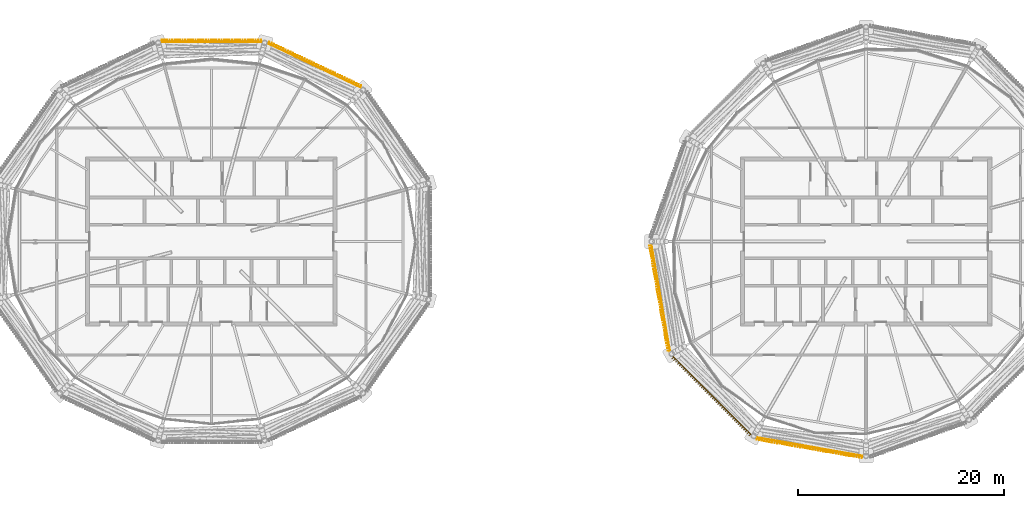
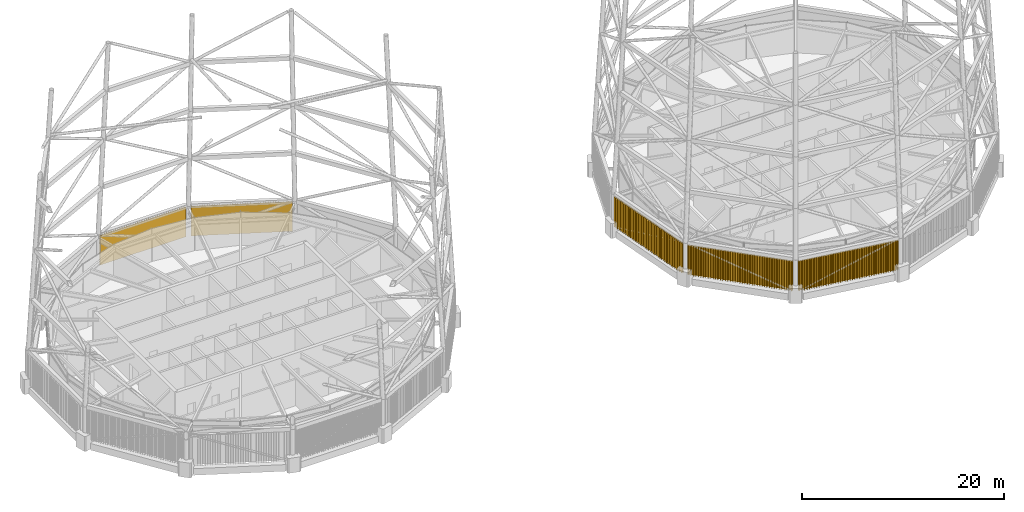
# One storey, part 69 of 71: 5 coverings.
"""IFC4 building model written with IfcOpenShell, lengths in metres."""

import ifcopenshell
import ifcopenshell.guid

model = None  # the IFC model being written
_history = None  # IfcOwnerHistory: only IFC2X3 demands one
_inside = {}  # id of a spatial element -> (the spatial element, [elements in it])
_under = {}  # id of a project, library or spatial element -> (it, [spatial elements below it])
_declared = {}  # id of a project -> (the project, [libraries it declares])
_typed = {}  # id of a type object -> (the type object, [elements of that type])
_made_of = {}  # id of a material, layer set ... -> (it, [elements and type objects made of it])


def new_model(schema):
    """Start an empty IFC model of exactly this schema.

    Asked for "IFC4X3", IfcOpenShell would pick the latest addendum, in which some entities
    have other attributes; the version numbers below select the first issue.
    IFC2X3 requires an IfcOwnerHistory on every rooted entity: one is made here for all.
    """
    global model, _history
    if schema == "IFC4X3":
        model = ifcopenshell.file(schema_version=(4, 3, 0, 0))
    else:
        model = ifcopenshell.file(schema=schema)
    _inside.clear()
    _under.clear()
    _declared.clear()
    _typed.clear()
    _made_of.clear()
    _history = None
    if model.schema == "IFC2X3":
        org = make("IfcOrganization", Name="unknown")
        user = make(
            "IfcPersonAndOrganization",
            ThePerson=make("IfcPerson", FamilyName="unknown"),
            TheOrganization=org,
        )
        app = make(
            "IfcApplication",
            ApplicationDeveloper=org,
            Version="unknown",
            ApplicationFullName="unknown",
            ApplicationIdentifier="unknown",
        )
        _history = make(
            "IfcOwnerHistory",
            OwningUser=user,
            OwningApplication=app,
            ChangeAction="ADDED",
            CreationDate=0,
        )
    return model


def make(cls, **values):
    """One entity of the class cls with the attributes given. An attribute that is None is left unset."""
    return model.create_entity(
        cls, **{name: value for name, value in values.items() if value is not None}
    )


def rooted(cls, **values):
    """An entity with a GlobalId (a new one), such as an element, a storey or a relation."""
    return make(cls, GlobalId=ifcopenshell.guid.new(), OwnerHistory=_history, **values)


def si_unit(unit_type, name, prefix=None):
    """IfcSIUnit, for example si_unit("LENGTHUNIT", "METRE", prefix="MILLI")."""
    return make("IfcSIUnit", UnitType=unit_type, Prefix=prefix, Name=name)


def assignment(units):
    """IfcUnitAssignment: the units of a project."""
    return None if units is None else make("IfcUnitAssignment", Units=units)


def point(xyz):
    """IfcCartesianPoint."""
    return None if xyz is None else make("IfcCartesianPoint", Coordinates=xyz)


def direction(xyz):
    """IfcDirection."""
    return None if xyz is None else make("IfcDirection", DirectionRatios=xyz)


def frame(location, z_axis=None, x_axis=None):
    """IfcAxis2Placement3D, a coordinate frame: its origin and axes. An axis left out is left unset."""
    return make(
        "IfcAxis2Placement3D",
        Location=point(location),
        Axis=direction(z_axis),
        RefDirection=direction(x_axis),
    )


def origin():
    """The frame at (0, 0, 0) with its axes left unset."""
    return frame((0.0, 0.0, 0.0))


def place(relative_to, where):
    """IfcLocalPlacement: puts the frame where relative to a parent placement (None: the world)."""
    return make(
        "IfcLocalPlacement", PlacementRelTo=relative_to, RelativePlacement=where
    )


def context(
    kind, dimensions, precision=None, world=None, true_north=None, identifier=None
):
    """IfcGeometricRepresentationContext, for example the 3D "Model" context."""
    return make(
        "IfcGeometricRepresentationContext",
        ContextIdentifier=identifier,
        ContextType=kind,
        CoordinateSpaceDimension=dimensions,
        Precision=precision,
        WorldCoordinateSystem=world,
        TrueNorth=true_north,
    )


def subcontext(parent, identifier, kind, view, scale=None):
    """IfcGeometricRepresentationSubContext, for example "Body" below "Model"."""
    return make(
        "IfcGeometricRepresentationSubContext",
        ContextIdentifier=identifier,
        ContextType=kind,
        ParentContext=parent,
        TargetScale=scale,
        TargetView=view,
    )


def project(units=None, contexts=None):
    """IfcProject with its units and contexts."""
    return rooted(
        "IfcProject",
        Name="project",
        RepresentationContexts=contexts,
        UnitsInContext=assignment(units),
    )


def spatial(cls, under=None, at=None, **own):
    """A site, building, storey or space (cls), placed at a placement, below another one or the project."""
    s = rooted(cls, ObjectPlacement=at, **own)
    if under is not None:
        _under.setdefault(under.id(), (under, []))[1].append(s)
    return s


def polyline(points):
    """IfcPolyline through the points."""
    return make("IfcPolyline", Points=[point(p) for p in points])


def outline(outer, holes=None, kind="AREA"):
    """IfcArbitraryClosedProfileDef: a profile drawn as a closed curve; with holes, ...WithVoids."""
    if holes is None:
        return make("IfcArbitraryClosedProfileDef", ProfileType=kind, OuterCurve=outer)
    return make(
        "IfcArbitraryProfileDefWithVoids",
        ProfileType=kind,
        OuterCurve=outer,
        InnerCurves=holes,
    )


def extrude(swept, where, along, depth):
    """IfcExtrudedAreaSolid: the profile swept, set in the frame where, extruded along a direction by depth."""
    return make(
        "IfcExtrudedAreaSolid",
        SweptArea=swept,
        Position=where,
        ExtrudedDirection=direction(along),
        Depth=depth,
    )


def shape(context_of_items, identifier, shape_type, items):
    """IfcShapeRepresentation: the items that make up one representation, for example the "Body"."""
    return make(
        "IfcShapeRepresentation",
        ContextOfItems=context_of_items,
        RepresentationIdentifier=identifier,
        RepresentationType=shape_type,
        Items=items,
    )


def material(Name=None, Category=None):
    """IfcMaterial."""
    return make("IfcMaterial", Name=Name, Category=Category)


def made_of(thing, what):
    """Note that an element or type object is made of a material, layer set ...; save() writes the relation."""
    if what is not None:
        _made_of.setdefault(what.id(), (what, []))[1].append(thing)
    return thing


def type_object(cls, material=None, **own):
    """A type object (cls), such as IfcWallType, which elements share."""
    return made_of(rooted(cls, **own), material)


def element(
    cls,
    number,
    at=None,
    inside=None,
    cuts=None,
    type_object=None,
    material=None,
    context=None,
    identifier="Body",
    shape_type=None,
    held_by="IfcProductDefinitionShape",
    body=None,
    shapes=None,
    **own,
):
    """One element of the class cls, such as IfcWall. Its Tag is "e" and its number.

    at: its placement. inside: the storey or other place that contains it. cuts: it is an
    opening in that element (IfcRelVoidsElement). A single representation is given by context,
    identifier, shape_type and body (its items); several are given by shapes. held_by: the class
    of the entity that holds the representations. save() writes the other relations.
    """
    e = rooted(cls, Tag="e%d" % number, ObjectPlacement=at, **own)
    if body is not None:
        shapes = [shape(context, identifier, shape_type, body)]
    if shapes is not None:
        e.Representation = make(held_by, Representations=shapes)
    if inside is not None:
        _inside.setdefault(inside.id(), (inside, []))[1].append(e)
    if cuts is not None:
        rooted(
            "IfcRelVoidsElement", RelatingBuildingElement=cuts, RelatedOpeningElement=e
        )
    if type_object is not None:
        _typed.setdefault(type_object.id(), (type_object, []))[1].append(e)
    return made_of(e, material)


def aggregate(whole, parts):
    """IfcRelAggregates: a whole, such as a stair, and the parts it consists of."""
    return rooted("IfcRelAggregates", RelatingObject=whole, RelatedObjects=parts)


def save(model, path):
    """Write the relations noted so far, then the file.

    IfcRelAggregates (storeys below a building ...), IfcRelContainedInSpatialStructure (elements
    in a storey), IfcRelDefinesByType, IfcRelAssociatesMaterial and IfcRelDeclares: one each for
    every whole, place, type object, material and project.
    """
    for whole, parts in _under.values():
        aggregate(whole, parts)
    for where, things in _inside.values():
        rooted(
            "IfcRelContainedInSpatialStructure",
            RelatedElements=things,
            RelatingStructure=where,
        )
    for kind, things in _typed.values():
        rooted("IfcRelDefinesByType", RelatedObjects=things, RelatingType=kind)
    for what, things in _made_of.values():
        rooted("IfcRelAssociatesMaterial", RelatedObjects=things, RelatingMaterial=what)
    for by, libraries in _declared.values():
        rooted("IfcRelDeclares", RelatingContext=by, RelatedDefinitions=libraries)
    model.write(path)


model = new_model("IFC4")

# Units and contexts
model_context = context("Model", 3, precision=1e-05, world=origin(), true_north=direction((0.0, 1.0)))
body_context = subcontext(model_context, "Body", "Model", "MODEL_VIEW")
ifc_project = project(units=[si_unit("LENGTHUNIT", "METRE"), si_unit("AREAUNIT", "SQUARE_METRE"), si_unit("VOLUMEUNIT", "CUBIC_METRE"), si_unit("PLANEANGLEUNIT", "RADIAN"), si_unit("MASSUNIT", "GRAM", prefix="KILO")], contexts=[model_context])

# Site, building, storey
site_placement = place(None, origin())
site = spatial("IfcSite", under=ifc_project, at=site_placement, CompositionType="ELEMENT")
building_placement = place(site_placement, origin())
building = spatial("IfcBuilding", under=site, at=building_placement, Name="Rimbun Link Towers", CompositionType="ELEMENT")
storey_placement = place(building_placement, frame((0.0, 0.0, 267.60009765625)))
storey = spatial("IfcBuildingStorey", under=building, at=storey_placement, Name="L65", CompositionType="ELEMENT", Elevation=267.60009765625)

# Coverings
ifc_material = material(Name="Terracotta", Category="masonry")
covering_type = type_object("IfcCoveringType", Name="TERRACOTTA CLADDING screen fins", PredefinedType="CLADDING", material=ifc_material)
covering_1_placement = place(storey_placement, frame((0.0, 0.0, 0.2119140625)))
element("IfcCovering", 1, at=covering_1_placement, inside=storey, type_object=covering_type, Name="TERRACOTTA CLADDING screen", PredefinedType="CLADDING", context=body_context, shape_type="SweptSolid", body=[
    extrude(outline(polyline([(-17.19091796875, 14.918212890625), (-17.29150390625, 14.966064453125), (-17.2060546875, 15.146728515625), (-17.233154296875, 15.159423828125), (-17.318603515625, 14.978759765625), (-17.52001953125, 15.07421875), (-17.434326171875, 15.2548828125), (-17.46142578125, 15.267822265625), (-17.547119140625, 15.087158203125), (-17.74853515625, 15.1826171875), (-17.662841796875, 15.36328125), (-17.68994140625, 15.376220703125), (-17.775634765625, 15.1953125), (-17.97705078125, 15.290771484375), (-17.891357421875, 15.471435546875), (-17.91845703125, 15.484375), (-18.004150390625, 15.3037109375), (-18.20556640625, 15.399169921875), (-18.119873046875, 15.579833984375), (-18.14697265625, 15.5927734375), (-18.232666015625, 15.412109375), (-18.433837890625, 15.50732421875), (-18.34814453125, 15.68798828125), (-18.37548828125, 15.700927734375), (-18.4609375, 15.520263671875), (-18.662353515625, 15.61572265625), (-18.57666015625, 15.79638671875), (-18.603759765625, 15.80908203125), (-18.689453125, 15.62841796875), (-18.890869140625, 15.72412109375), (-18.80517578125, 15.90478515625), (-18.832275390625, 15.91748046875), (-18.91796875, 15.73681640625), (-19.119384765625, 15.832275390625), (-19.03369140625, 16.012939453125), (-19.060791015625, 16.02587890625), (-19.146484375, 15.84521484375), (-19.34765625, 15.9404296875), (-19.26220703125, 16.121337890625), (-19.289306640625, 16.134033203125), (-19.374755859375, 15.953369140625), (-19.576171875, 16.048828125), (-19.490478515625, 16.2294921875), (-19.517578125, 16.242431640625), (-19.603271484375, 16.061767578125), (-19.8046875, 16.156982421875), (-19.718994140625, 16.337890625), (-19.74609375, 16.3505859375), (-19.831787109375, 16.169921875), (-20.033203125, 16.265380859375), (-19.947509765625, 16.446044921875), (-19.974609375, 16.458984375), (-20.060302734375, 16.2783203125), (-20.261474609375, 16.373779296875), (-20.17578125, 16.554443359375), (-20.202880859375, 16.567138671875), (-20.28857421875, 16.386474609375), (-20.489990234375, 16.48193359375), (-20.404296875, 16.66259765625), (-20.431396484375, 16.675537109375), (-20.51708984375, 16.494873046875), (-20.718505859375, 16.590087890625), (-20.6328125, 16.77099609375), (-20.659912109375, 16.78369140625), (-20.74560546875, 16.60302734375), (-20.947021484375, 16.698486328125), (-20.861083984375, 16.87939453125), (-20.88818359375, 16.89208984375), (-20.97412109375, 16.71142578125), (-21.17529296875, 16.806884765625), (-21.089599609375, 16.987548828125), (-21.11669921875, 17.00048828125), (-21.202392578125, 16.819580078125), (-21.40380859375, 16.9150390625), (-21.318115234375, 17.095703125), (-21.34521484375, 17.108642578125), (-21.430908203125, 16.927978515625), (-21.63232421875, 17.0234375), (-21.546630859375, 17.2041015625), (-21.57373046875, 17.217041015625), (-21.659423828125, 17.0361328125), (-21.860595703125, 17.131591796875), (-21.77490234375, 17.3125), (-21.80224609375, 17.3251953125), (-21.8876953125, 17.14453125), (-22.089111328125, 17.239990234375), (-22.00341796875, 17.420654296875), (-22.030517578125, 17.43359375), (-22.1162109375, 17.252685546875), (-22.317626953125, 17.34814453125), (-22.23193359375, 17.529052734375), (-22.259033203125, 17.541748046875), (-22.3447265625, 17.361083984375), (-22.546142578125, 17.45654296875), (-22.46044921875, 17.63720703125), (-22.487548828125, 17.650146484375), (-22.5732421875, 17.469482421875), (-22.7744140625, 17.564697265625), (-22.68896484375, 17.74560546875), (-22.716064453125, 17.75830078125), (-22.801513671875, 17.57763671875), (-23.0029296875, 17.673095703125), (-22.917236328125, 17.853759765625), (-22.9443359375, 17.86669921875), (-23.030029296875, 17.685791015625), (-23.2314453125, 17.781494140625), (-23.145751953125, 17.962158203125), (-23.1728515625, 17.97509765625), (-23.258544921875, 17.794189453125), (-23.4599609375, 17.8896484375), (-23.374267578125, 18.0703125), (-23.4013671875, 18.083251953125), (-23.487060546875, 17.902587890625), (-23.688232421875, 17.998046875), (-23.602783203125, 18.1787109375), (-23.6298828125, 18.19140625), (-23.71533203125, 18.0107421875), (-23.916748046875, 18.106201171875), (-23.8310546875, 18.287109375), (-23.858154296875, 18.2998046875), (-23.94384765625, 18.119140625), (-24.145263671875, 18.214599609375), (-24.0595703125, 18.395263671875), (-24.086669921875, 18.408203125), (-24.17236328125, 18.227294921875), (-24.373779296875, 18.32275390625), (-24.2880859375, 18.50341796875), (-24.315185546875, 18.516357421875), (-24.40087890625, 18.335693359375), (-24.60205078125, 18.43115234375), (-24.5166015625, 18.61181640625), (-24.543701171875, 18.624755859375), (-24.62939453125, 18.44384765625), (-24.83056640625, 18.539306640625), (-24.744873046875, 18.72021484375), (-24.77197265625, 18.73291015625), (-24.857666015625, 18.55224609375), (-25.05908203125, 18.647705078125), (-24.973388671875, 18.828369140625), (-25.00048828125, 18.84130859375), (-25.086181640625, 18.660400390625), (-25.28759765625, 18.755859375), (-25.201904296875, 18.936767578125), (-25.22900390625, 18.949462890625), (-25.314697265625, 18.768798828125), (-25.51611328125, 18.8642578125), (-25.430419921875, 19.044921875), (-25.45751953125, 19.057861328125), (-25.543212890625, 18.877197265625), (-25.744384765625, 18.972412109375), (-25.65869140625, 19.1533203125), (-25.685791015625, 19.166015625), (-25.771484375, 18.9853515625), (-25.972900390625, 19.080810546875), (-25.88720703125, 19.261474609375), (-25.914306640625, 19.2744140625), (-26.0, 19.09375), (-26.201416015625, 19.189208984375), (-26.11572265625, 19.369873046875), (-26.142822265625, 19.3828125), (-26.228515625, 19.201904296875), (-26.3291015625, 19.249755859375), (-26.34228515625, 19.20068359375), (-17.228515625, 14.880615234375), (-17.19091796875, 14.918212890625)])), origin(), (0.0, 0.0, 1.0), 3.575927734375),
])
covering_2_placement = place(storey_placement, frame((0.0, 0.0, 0.2119140625)))
element("IfcCovering", 2, at=covering_2_placement, inside=storey, type_object=covering_type, Name="TERRACOTTA CLADDING screen", PredefinedType="CLADDING", context=body_context, shape_type="SweptSolid", body=[
    extrude(outline(polyline([(-26.819580078125, 19.382080078125), (-26.930908203125, 19.382080078125), (-26.930908203125, 19.58203125), (-26.9609375, 19.58203125), (-26.9609375, 19.382080078125), (-27.183837890625, 19.382080078125), (-27.183837890625, 19.58203125), (-27.2138671875, 19.58203125), (-27.2138671875, 19.382080078125), (-27.436767578125, 19.382080078125), (-27.436767578125, 19.58203125), (-27.466796875, 19.58203125), (-27.466796875, 19.382080078125), (-27.689453125, 19.382080078125), (-27.689453125, 19.58203125), (-27.719482421875, 19.58203125), (-27.719482421875, 19.382080078125), (-27.9423828125, 19.382080078125), (-27.9423828125, 19.58203125), (-27.972412109375, 19.58203125), (-27.972412109375, 19.382080078125), (-28.1953125, 19.382080078125), (-28.1953125, 19.58203125), (-28.22509765625, 19.58203125), (-28.22509765625, 19.382080078125), (-28.447998046875, 19.382080078125), (-28.447998046875, 19.58203125), (-28.47802734375, 19.58203125), (-28.47802734375, 19.382080078125), (-28.700927734375, 19.382080078125), (-28.700927734375, 19.58203125), (-28.73095703125, 19.58203125), (-28.73095703125, 19.382080078125), (-28.95361328125, 19.382080078125), (-28.95361328125, 19.58203125), (-28.983642578125, 19.58203125), (-28.983642578125, 19.382080078125), (-29.20654296875, 19.382080078125), (-29.20654296875, 19.58203125), (-29.236572265625, 19.58203125), (-29.236572265625, 19.382080078125), (-29.45947265625, 19.382080078125), (-29.45947265625, 19.58203125), (-29.489501953125, 19.58203125), (-29.489501953125, 19.382080078125), (-29.71240234375, 19.382080078125), (-29.71240234375, 19.58203125), (-29.7421875, 19.58203125), (-29.7421875, 19.382080078125), (-29.965087890625, 19.382080078125), (-29.965087890625, 19.58203125), (-29.9951171875, 19.58203125), (-29.9951171875, 19.382080078125), (-30.218017578125, 19.382080078125), (-30.218017578125, 19.58203125), (-30.247802734375, 19.58203125), (-30.247802734375, 19.382080078125), (-30.470703125, 19.382080078125), (-30.470703125, 19.58203125), (-30.500732421875, 19.58203125), (-30.500732421875, 19.382080078125), (-30.7236328125, 19.382080078125), (-30.7236328125, 19.58203125), (-30.753662109375, 19.58203125), (-30.753662109375, 19.382080078125), (-30.9765625, 19.382080078125), (-30.9765625, 19.58203125), (-31.006591796875, 19.58203125), (-31.006591796875, 19.382080078125), (-31.229248046875, 19.382080078125), (-31.229248046875, 19.58203125), (-31.25927734375, 19.58203125), (-31.25927734375, 19.382080078125), (-31.482177734375, 19.382080078125), (-31.482177734375, 19.58203125), (-31.51220703125, 19.58203125), (-31.51220703125, 19.382080078125), (-31.735107421875, 19.382080078125), (-31.735107421875, 19.58203125), (-31.764892578125, 19.58203125), (-31.764892578125, 19.382080078125), (-31.98779296875, 19.382080078125), (-31.98779296875, 19.58203125), (-32.017822265625, 19.58203125), (-32.017822265625, 19.382080078125), (-32.24072265625, 19.382080078125), (-32.24072265625, 19.58203125), (-32.270751953125, 19.58203125), (-32.270751953125, 19.382080078125), (-32.493408203125, 19.382080078125), (-32.493408203125, 19.58203125), (-32.5234375, 19.58203125), (-32.5234375, 19.382080078125), (-32.746337890625, 19.382080078125), (-32.746337890625, 19.58203125), (-32.7763671875, 19.58203125), (-32.7763671875, 19.382080078125), (-32.999267578125, 19.382080078125), (-32.999267578125, 19.58203125), (-33.029296875, 19.58203125), (-33.029296875, 19.382080078125), (-33.252197265625, 19.382080078125), (-33.252197265625, 19.58203125), (-33.281982421875, 19.58203125), (-33.281982421875, 19.382080078125), (-33.5048828125, 19.382080078125), (-33.5048828125, 19.58203125), (-33.534912109375, 19.58203125), (-33.534912109375, 19.382080078125), (-33.7578125, 19.382080078125), (-33.7578125, 19.58203125), (-33.78759765625, 19.58203125), (-33.78759765625, 19.382080078125), (-34.010498046875, 19.382080078125), (-34.010498046875, 19.58203125), (-34.04052734375, 19.58203125), (-34.04052734375, 19.382080078125), (-34.263427734375, 19.382080078125), (-34.263427734375, 19.58203125), (-34.29345703125, 19.58203125), (-34.29345703125, 19.382080078125), (-34.516357421875, 19.382080078125), (-34.516357421875, 19.58203125), (-34.54638671875, 19.58203125), (-34.54638671875, 19.382080078125), (-34.76904296875, 19.382080078125), (-34.76904296875, 19.58203125), (-34.799072265625, 19.58203125), (-34.799072265625, 19.382080078125), (-35.02197265625, 19.382080078125), (-35.02197265625, 19.58203125), (-35.052001953125, 19.58203125), (-35.052001953125, 19.382080078125), (-35.27490234375, 19.382080078125), (-35.27490234375, 19.58203125), (-35.3046875, 19.58203125), (-35.3046875, 19.382080078125), (-35.527587890625, 19.382080078125), (-35.527587890625, 19.58203125), (-35.5576171875, 19.58203125), (-35.5576171875, 19.382080078125), (-35.780517578125, 19.382080078125), (-35.780517578125, 19.58203125), (-35.810546875, 19.58203125), (-35.810546875, 19.382080078125), (-36.033203125, 19.382080078125), (-36.033203125, 19.58203125), (-36.063232421875, 19.58203125), (-36.063232421875, 19.382080078125), (-36.2861328125, 19.382080078125), (-36.2861328125, 19.58203125), (-36.316162109375, 19.58203125), (-36.316162109375, 19.382080078125), (-36.5390625, 19.382080078125), (-36.5390625, 19.58203125), (-36.569091796875, 19.58203125), (-36.569091796875, 19.382080078125), (-36.680419921875, 19.382080078125), (-36.6669921875, 19.33203125), (-26.8330078125, 19.33203125), (-26.819580078125, 19.382080078125)])), origin(), (0.0, 0.0, 1.0), 3.575927734375),
])
covering_3_placement = place(storey_placement, frame((0.0, 0.0, 0.2119140625)))
element("IfcCovering", 3, at=covering_3_placement, inside=storey, type_object=covering_type, Name="TERRACOTTA CLADDING screen", PredefinedType="CLADDING", context=body_context, shape_type="SweptSolid", body=[
    extrude(outline(polyline([(10.90869140625, -0.25390625), (10.927734375, -0.363525390625), (10.730712890625, -0.397705078125), (10.73583984375, -0.42724609375), (10.932861328125, -0.39306640625), (10.970947265625, -0.612060546875), (10.77392578125, -0.646240234375), (10.779052734375, -0.67578125), (10.976318359375, -0.6416015625), (11.014404296875, -0.860595703125), (10.817138671875, -0.894775390625), (10.822509765625, -0.92431640625), (11.019287109375, -0.889892578125), (11.0576171875, -1.10888671875), (10.860595703125, -1.143310546875), (10.865478515625, -1.1728515625), (11.0625, -1.138427734375), (11.1005859375, -1.357421875), (10.90380859375, -1.391845703125), (10.90869140625, -1.42138671875), (11.10595703125, -1.386962890625), (11.14404296875, -1.60595703125), (10.947021484375, -1.640380859375), (10.9521484375, -1.669921875), (11.149169921875, -1.635498046875), (11.187255859375, -1.8544921875), (10.990234375, -1.888916015625), (10.995361328125, -1.918212890625), (11.1923828125, -1.884033203125), (11.23046875, -2.10302734375), (11.033447265625, -2.13720703125), (11.03857421875, -2.166748046875), (11.235595703125, -2.132568359375), (11.273681640625, -2.3515625), (11.07666015625, -2.3857421875), (11.081787109375, -2.415283203125), (11.27880859375, -2.381103515625), (11.31689453125, -2.60009765625), (11.119873046875, -2.63427734375), (11.125, -2.663818359375), (11.322021484375, -2.62939453125), (11.360107421875, -2.848388671875), (11.1630859375, -2.8828125), (11.168212890625, -2.912353515625), (11.365234375, -2.8779296875), (11.4033203125, -3.096923828125), (11.206298828125, -3.13134765625), (11.21142578125, -3.160888671875), (11.408447265625, -3.12646484375), (11.446533203125, -3.345458984375), (11.24951171875, -3.3798828125), (11.254638671875, -3.4091796875), (11.45166015625, -3.375), (11.48974609375, -3.593994140625), (11.292724609375, -3.62841796875), (11.2978515625, -3.65771484375), (11.4951171875, -3.62353515625), (11.533203125, -3.842529296875), (11.3359375, -3.876708984375), (11.34130859375, -3.90625), (11.5380859375, -3.8720703125), (11.576416015625, -4.091064453125), (11.37939453125, -4.125244140625), (11.384521484375, -4.15478515625), (11.581298828125, -4.12060546875), (11.619384765625, -4.339599609375), (11.422607421875, -4.373779296875), (11.427490234375, -4.4033203125), (11.624755859375, -4.369140625), (11.662841796875, -4.587890625), (11.4658203125, -4.622314453125), (11.470947265625, -4.65185546875), (11.66796875, -4.61767578125), (11.7060546875, -4.83642578125), (11.509033203125, -4.870849609375), (11.51416015625, -4.900390625), (11.711181640625, -4.8662109375), (11.749267578125, -5.0849609375), (11.55224609375, -5.119384765625), (11.557373046875, -5.148681640625), (11.75439453125, -5.114501953125), (11.79248046875, -5.33349609375), (11.595458984375, -5.367919921875), (11.6005859375, -5.397216796875), (11.797607421875, -5.363037109375), (11.835693359375, -5.58203125), (11.638671875, -5.6162109375), (11.643798828125, -5.645751953125), (11.8408203125, -5.611572265625), (11.87890625, -5.83056640625), (11.681884765625, -5.86474609375), (11.68701171875, -5.894287109375), (11.884033203125, -5.860107421875), (11.922119140625, -6.0791015625), (11.72509765625, -6.11328125), (11.730224609375, -6.142822265625), (11.92724609375, -6.108642578125), (11.96533203125, -6.327392578125), (11.768310546875, -6.36181640625), (11.7734375, -6.391357421875), (11.970703125, -6.357177734375), (12.008544921875, -6.575927734375), (11.8115234375, -6.6103515625), (11.816650390625, -6.639892578125), (12.013916015625, -6.605712890625), (12.052001953125, -6.824462890625), (11.854736328125, -6.85888671875), (11.860107421875, -6.88818359375), (12.056884765625, -6.85400390625), (12.09521484375, -7.072998046875), (11.898193359375, -7.107421875), (11.9033203125, -7.13671875), (12.100341796875, -7.1025390625), (12.13818359375, -7.321533203125), (11.94140625, -7.355712890625), (11.946533203125, -7.38525390625), (12.1435546875, -7.35107421875), (12.181640625, -7.570068359375), (11.984619140625, -7.604248046875), (11.98974609375, -7.6337890625), (12.186767578125, -7.599609375), (12.224853515625, -7.818603515625), (12.02783203125, -7.852783203125), (12.032958984375, -7.88232421875), (12.22998046875, -7.84814453125), (12.26806640625, -8.06689453125), (12.071044921875, -8.101318359375), (12.076171875, -8.130859375), (12.273193359375, -8.0966796875), (12.311279296875, -8.3154296875), (12.1142578125, -8.349853515625), (12.119384765625, -8.37939453125), (12.31640625, -8.34521484375), (12.3544921875, -8.56396484375), (12.157470703125, -8.598388671875), (12.16259765625, -8.6279296875), (12.359619140625, -8.593505859375), (12.397705078125, -8.8125), (12.20068359375, -8.8466796875), (12.205810546875, -8.87646484375), (12.40283203125, -8.842041015625), (12.44091796875, -9.06103515625), (12.243896484375, -9.09521484375), (12.2490234375, -9.125), (12.446044921875, -9.090576171875), (12.484130859375, -9.3095703125), (12.287109375, -9.34375), (12.292236328125, -9.373291015625), (12.489501953125, -9.339111328125), (12.527587890625, -9.55810546875), (12.330322265625, -9.59228515625), (12.335693359375, -9.621826171875), (12.53271484375, -9.587646484375), (12.57080078125, -9.806396484375), (12.373779296875, -9.8408203125), (12.37890625, -9.870361328125), (12.57568359375, -9.836181640625), (12.614013671875, -10.054931640625), (12.4169921875, -10.08935546875), (12.422119140625, -10.118896484375), (12.619140625, -10.084716796875), (12.6572265625, -10.303466796875), (12.460205078125, -10.337890625), (12.46533203125, -10.367431640625), (12.662353515625, -10.3330078125), (12.700439453125, -10.552001953125), (12.50341796875, -10.586181640625), (12.508544921875, -10.615966796875), (12.70556640625, -10.58154296875), (12.724609375, -10.691162109375), (12.770751953125, -10.664306640625), (10.95947265625, -0.25390625), (10.90869140625, -0.25390625)])), origin(), (0.0, 0.0, 1.0), 3.575927734375),
])
covering_4_placement = place(storey_placement, frame((0.0, 0.0, 0.2119140625)))
element("IfcCovering", 4, at=covering_4_placement, inside=storey, type_object=covering_type, Name="TERRACOTTA CLADDING screen", PredefinedType="CLADDING", context=body_context, shape_type="SweptSolid", body=[
    extrude(outline(polyline([(12.97998046875, -11.13037109375), (13.05810546875, -11.20849609375), (12.916748046875, -11.349853515625), (12.93798828125, -11.37109375), (13.079345703125, -11.229736328125), (13.23583984375, -11.38623046875), (13.094482421875, -11.527587890625), (13.115478515625, -11.548828125), (13.257080078125, -11.407470703125), (13.413330078125, -11.563720703125), (13.27197265625, -11.705078125), (13.293212890625, -11.7265625), (13.434814453125, -11.5849609375), (13.591064453125, -11.741455078125), (13.44970703125, -11.8828125), (13.470947265625, -11.904052734375), (13.6123046875, -11.7626953125), (13.768798828125, -11.919189453125), (13.62744140625, -12.060546875), (13.648681640625, -12.081787109375), (13.7900390625, -11.9404296875), (13.946533203125, -12.0966796875), (13.804931640625, -12.23828125), (13.826416015625, -12.259521484375), (13.9677734375, -12.1181640625), (14.1240234375, -12.2744140625), (13.982666015625, -12.416015625), (14.00390625, -12.43701171875), (14.145263671875, -12.295654296875), (14.3017578125, -12.4521484375), (14.160400390625, -12.593505859375), (14.181640625, -12.61474609375), (14.322998046875, -12.473388671875), (14.4794921875, -12.6298828125), (14.338134765625, -12.771240234375), (14.359375, -12.79248046875), (14.500732421875, -12.651123046875), (14.656982421875, -12.8076171875), (14.515625, -12.948974609375), (14.536865234375, -12.97021484375), (14.678466796875, -12.82861328125), (14.834716796875, -12.985107421875), (14.693359375, -13.126708984375), (14.714599609375, -13.147705078125), (14.85595703125, -13.00634765625), (15.012451171875, -13.162841796875), (14.87109375, -13.30419921875), (14.892333984375, -13.325439453125), (15.03369140625, -13.18408203125), (15.190185546875, -13.340576171875), (15.048583984375, -13.48193359375), (15.070068359375, -13.503173828125), (15.21142578125, -13.36181640625), (15.367919921875, -13.518310546875), (15.226318359375, -13.65966796875), (15.24755859375, -13.680908203125), (15.388916015625, -13.539306640625), (15.54541015625, -13.69580078125), (15.404052734375, -13.83740234375), (15.42529296875, -13.8583984375), (15.566650390625, -13.717041015625), (15.72314453125, -13.87353515625), (15.581787109375, -14.014892578125), (15.60302734375, -14.0361328125), (15.744384765625, -13.894775390625), (15.90087890625, -14.05126953125), (15.759521484375, -14.192626953125), (15.780517578125, -14.2138671875), (15.922119140625, -14.072509765625), (16.07861328125, -14.22900390625), (15.93701171875, -14.370361328125), (15.958251953125, -14.3916015625), (16.099609375, -14.25), (16.256103515625, -14.406494140625), (16.11474609375, -14.548095703125), (16.135986328125, -14.569091796875), (16.27734375, -14.427734375), (16.433837890625, -14.584228515625), (16.29248046875, -14.7255859375), (16.313720703125, -14.746826171875), (16.455078125, -14.60546875), (16.611572265625, -14.761962890625), (16.47021484375, -14.9033203125), (16.4912109375, -14.924560546875), (16.6328125, -14.783203125), (16.789306640625, -14.939697265625), (16.647705078125, -15.0810546875), (16.6689453125, -15.102294921875), (16.810302734375, -14.960693359375), (16.966796875, -15.1171875), (16.825439453125, -15.2587890625), (16.8466796875, -15.27978515625), (16.988037109375, -15.138427734375), (17.14453125, -15.294921875), (17.003173828125, -15.436279296875), (17.0244140625, -15.45751953125), (17.165771484375, -15.316162109375), (17.322265625, -15.47265625), (17.180908203125, -15.614013671875), (17.201904296875, -15.63525390625), (17.343505859375, -15.493896484375), (17.5, -15.650390625), (17.3583984375, -15.791748046875), (17.379638671875, -15.81298828125), (17.52099609375, -15.67138671875), (17.677490234375, -15.827880859375), (17.5361328125, -15.969482421875), (17.557373046875, -15.990478515625), (17.69873046875, -15.84912109375), (17.855224609375, -16.005615234375), (17.7138671875, -16.14697265625), (17.735107421875, -16.168212890625), (17.87646484375, -16.02685546875), (18.032958984375, -16.183349609375), (17.8916015625, -16.32470703125), (17.91259765625, -16.345947265625), (18.05419921875, -16.20458984375), (18.210693359375, -16.361083984375), (18.069091796875, -16.50244140625), (18.09033203125, -16.523681640625), (18.231689453125, -16.382080078125), (18.38818359375, -16.53857421875), (18.246826171875, -16.679931640625), (18.26806640625, -16.701416015625), (18.409423828125, -16.559814453125), (18.56591796875, -16.71630859375), (18.424560546875, -16.857666015625), (18.44580078125, -16.87890625), (18.587158203125, -16.737548828125), (18.74365234375, -16.89404296875), (18.602294921875, -17.035400390625), (18.623291015625, -17.056640625), (18.764892578125, -16.915283203125), (18.92138671875, -17.071533203125), (18.77978515625, -17.213134765625), (18.801025390625, -17.234375), (18.9423828125, -17.093017578125), (19.098876953125, -17.249267578125), (18.95751953125, -17.390625), (18.978759765625, -17.411865234375), (19.1201171875, -17.2705078125), (19.276611328125, -17.427001953125), (19.13525390625, -17.568359375), (19.156494140625, -17.589599609375), (19.2978515625, -17.4482421875), (19.454345703125, -17.604736328125), (19.31298828125, -17.74609375), (19.333984375, -17.767333984375), (19.4755859375, -17.6259765625), (19.6318359375, -17.7822265625), (19.490478515625, -17.923583984375), (19.51171875, -17.945068359375), (19.6533203125, -17.803466796875), (19.8095703125, -17.9599609375), (19.668212890625, -18.101318359375), (19.689453125, -18.12255859375), (19.830810546875, -17.981201171875), (19.9873046875, -18.1376953125), (19.845947265625, -18.279052734375), (19.8671875, -18.30029296875), (20.008544921875, -18.158935546875), (20.1650390625, -18.315185546875), (20.0234375, -18.456787109375), (20.044921875, -18.47802734375), (20.186279296875, -18.336669921875), (20.342529296875, -18.492919921875), (20.201171875, -18.634521484375), (20.222412109375, -18.655517578125), (20.36376953125, -18.51416015625), (20.520263671875, -18.670654296875), (20.37890625, -18.81201171875), (20.400146484375, -18.833251953125), (20.54150390625, -18.69189453125), (20.61962890625, -18.77001953125), (20.6455078125, -18.725341796875), (13.024658203125, -11.1044921875), (12.97998046875, -11.13037109375)])), origin(), (0.0, 0.0, 1.0), 3.575927734375),
])
covering_5_placement = place(storey_placement, frame((0.0, 0.0, 0.2119140625)))
element("IfcCovering", 5, at=covering_5_placement, inside=storey, type_object=covering_type, Name="TERRACOTTA CLADDING screen", PredefinedType="CLADDING", context=body_context, shape_type="SweptSolid", body=[
    extrude(outline(polyline([(21.058837890625, -19.025390625), (21.16845703125, -19.04443359375), (21.134033203125, -19.241455078125), (21.163818359375, -19.24658203125), (21.197998046875, -19.049560546875), (21.4169921875, -19.087646484375), (21.382568359375, -19.28466796875), (21.412109375, -19.289794921875), (21.446533203125, -19.0927734375), (21.665283203125, -19.130859375), (21.631103515625, -19.327880859375), (21.66064453125, -19.3330078125), (21.695068359375, -19.135986328125), (21.913818359375, -19.17431640625), (21.879638671875, -19.37109375), (21.9091796875, -19.376220703125), (21.943603515625, -19.17919921875), (22.162353515625, -19.21728515625), (22.128173828125, -19.414306640625), (22.15771484375, -19.419677734375), (22.19189453125, -19.222412109375), (22.410888671875, -19.260498046875), (22.376708984375, -19.457763671875), (22.40625, -19.462890625), (22.4404296875, -19.265869140625), (22.659423828125, -19.303955078125), (22.625, -19.5009765625), (22.65478515625, -19.506103515625), (22.68896484375, -19.30908203125), (22.907958984375, -19.34716796875), (22.87353515625, -19.544189453125), (22.9033203125, -19.54931640625), (22.9375, -19.352294921875), (23.156494140625, -19.390380859375), (23.1220703125, -19.58740234375), (23.151611328125, -19.592529296875), (23.18603515625, -19.3955078125), (23.40478515625, -19.43359375), (23.37060546875, -19.630615234375), (23.400146484375, -19.6357421875), (23.4345703125, -19.438720703125), (23.6533203125, -19.476806640625), (23.619140625, -19.673828125), (23.648681640625, -19.678955078125), (23.68310546875, -19.48193359375), (23.90185546875, -19.52001953125), (23.86767578125, -19.717041015625), (23.897216796875, -19.72216796875), (23.931396484375, -19.525146484375), (24.150390625, -19.563232421875), (24.1162109375, -19.76025390625), (24.145751953125, -19.765380859375), (24.179931640625, -19.568359375), (24.39892578125, -19.6064453125), (24.36474609375, -19.803466796875), (24.394287109375, -19.80859375), (24.428466796875, -19.61181640625), (24.6474609375, -19.649658203125), (24.61328125, -19.8466796875), (24.642578125, -19.851806640625), (24.677001953125, -19.65478515625), (24.89599609375, -19.693115234375), (24.86181640625, -19.889892578125), (24.89111328125, -19.895263671875), (24.925537109375, -19.697998046875), (25.144287109375, -19.736083984375), (25.110107421875, -19.933349609375), (25.1396484375, -19.9384765625), (25.174072265625, -19.741455078125), (25.392822265625, -19.779296875), (25.358642578125, -19.9765625), (25.38818359375, -19.981689453125), (25.422607421875, -19.78466796875), (25.641357421875, -19.82275390625), (25.607177734375, -20.019775390625), (25.63671875, -20.02490234375), (25.6708984375, -19.827880859375), (25.889892578125, -19.865966796875), (25.855712890625, -20.06298828125), (25.88525390625, -20.068115234375), (25.91943359375, -19.87109375), (26.138427734375, -19.9091796875), (26.104248046875, -20.106201171875), (26.1337890625, -20.111328125), (26.16796875, -19.914306640625), (26.386962890625, -19.952392578125), (26.352783203125, -20.1494140625), (26.382080078125, -20.154541015625), (26.41650390625, -19.95751953125), (26.635498046875, -19.99560546875), (26.601318359375, -20.192626953125), (26.630615234375, -20.19775390625), (26.6650390625, -20.000732421875), (26.8837890625, -20.038818359375), (26.849609375, -20.23583984375), (26.879150390625, -20.240966796875), (26.91357421875, -20.0439453125), (27.13232421875, -20.08203125), (27.09814453125, -20.279052734375), (27.127685546875, -20.2841796875), (27.162109375, -20.087158203125), (27.380859375, -20.125244140625), (27.3466796875, -20.322509765625), (27.376220703125, -20.327392578125), (27.410400390625, -20.130615234375), (27.62939453125, -20.168701171875), (27.59521484375, -20.365478515625), (27.624755859375, -20.37060546875), (27.658935546875, -20.173583984375), (27.8779296875, -20.2119140625), (27.84375, -20.40869140625), (27.873291015625, -20.4140625), (27.907470703125, -20.216796875), (28.12646484375, -20.2548828125), (28.09228515625, -20.4521484375), (28.12158203125, -20.457275390625), (28.156005859375, -20.26025390625), (28.375, -20.29833984375), (28.3408203125, -20.495361328125), (28.3701171875, -20.50048828125), (28.404541015625, -20.303466796875), (28.62353515625, -20.341552734375), (28.589111328125, -20.53857421875), (28.61865234375, -20.543701171875), (28.653076171875, -20.3466796875), (28.8720703125, -20.384765625), (28.837646484375, -20.581787109375), (28.8671875, -20.5869140625), (28.901611328125, -20.389892578125), (29.12060546875, -20.427978515625), (29.086181640625, -20.625), (29.11572265625, -20.630126953125), (29.14990234375, -20.43310546875), (29.368896484375, -20.47119140625), (29.334716796875, -20.668212890625), (29.3642578125, -20.67333984375), (29.3984375, -20.476318359375), (29.617431640625, -20.514404296875), (29.583251953125, -20.71142578125), (29.61279296875, -20.716552734375), (29.64697265625, -20.51953125), (29.865966796875, -20.5576171875), (29.831787109375, -20.754638671875), (29.861083984375, -20.759765625), (29.8955078125, -20.562744140625), (30.114501953125, -20.600830078125), (30.080078125, -20.7978515625), (30.109619140625, -20.802978515625), (30.14404296875, -20.60595703125), (30.363037109375, -20.64404296875), (30.32861328125, -20.84130859375), (30.358154296875, -20.84619140625), (30.392578125, -20.6494140625), (30.611572265625, -20.6875), (30.5771484375, -20.884521484375), (30.606689453125, -20.889404296875), (30.64111328125, -20.6923828125), (30.860107421875, -20.730712890625), (30.82568359375, -20.927490234375), (30.855224609375, -20.932861328125), (30.889404296875, -20.735595703125), (31.1083984375, -20.773681640625), (31.07421875, -20.970947265625), (31.103759765625, -20.97607421875), (31.137939453125, -20.779052734375), (31.35693359375, -20.817138671875), (31.32275390625, -21.01416015625), (31.352294921875, -21.019287109375), (31.386474609375, -20.822265625), (31.49609375, -20.84130859375), (31.49609375, -20.79052734375), (21.085693359375, -18.979248046875), (21.058837890625, -19.025390625)])), origin(), (0.0, 0.0, 1.0), 3.575927734375),
])

save(model, "model.ifc")
